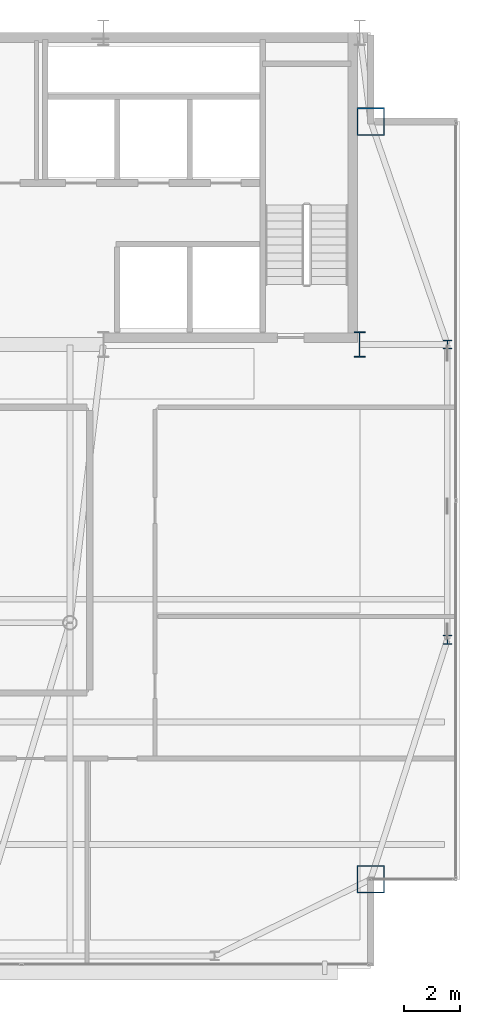
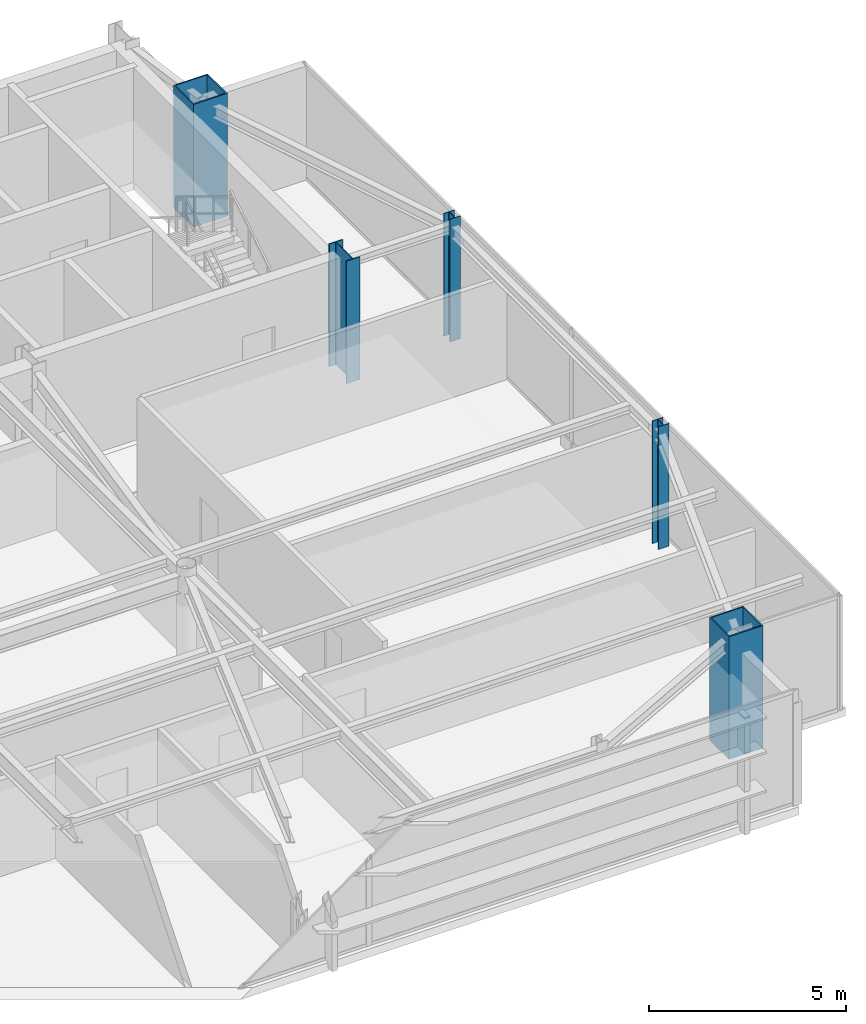
# One storey, part 2 of 24: 5 columns.
"""IFC4 building model written with IfcOpenShell, lengths in metres."""

from ifc_helpers import new_model, si_unit, direction, frame, origin, origin_2d, place, context, subcontext, project, spatial, hollow_rectangle, i_section, extrude, source, transform, mapped, material, material_profile, profile_set, type_object, type_shapes, element, save


model = new_model("IFC4")

# Units and contexts
model_context = context("Model", 3, precision=1e-05, world=origin(), true_north=direction((0.0, 1.0)))
body_context = subcontext(model_context, "Body", "Model", "MODEL_VIEW")
ifc_project = project(units=[si_unit("LENGTHUNIT", "METRE"), si_unit("AREAUNIT", "SQUARE_METRE"), si_unit("VOLUMEUNIT", "CUBIC_METRE"), si_unit("PLANEANGLEUNIT", "RADIAN"), si_unit("MASSUNIT", "GRAM", prefix="KILO")], contexts=[model_context])

# Site, building, storey
site_placement = place(None, origin())
site = spatial("IfcSite", under=ifc_project, at=site_placement, CompositionType="ELEMENT")
building_placement = place(site_placement, origin())
building = spatial("IfcBuilding", under=site, at=building_placement, Name="Varnel Quay Broadcast Tower", CompositionType="ELEMENT")
storey_placement = place(building_placement, frame((0.0, 0.0, 292.60009765625)))
storey = spatial("IfcBuildingStorey", under=building, at=storey_placement, Name="L73", CompositionType="ELEMENT", Elevation=292.60009765625)

# Columns
ifc_material_1 = material(Name="Structural Steel CSA G40.21 350WT", Category="steel")
ifc_material_profile_1 = material_profile(ifc_material_1, i_section(OverallWidth=0.39990234375, OverallDepth=0.89990234375, WebThickness=0.01611328125, FlangeThickness=0.028076171875, FilletRadius=0.01611328125, at=origin_2d()), Name="WWF900X309")
ifc_profile_set_1 = profile_set([ifc_material_profile_1], Name="Structural Steel CSA G40.21 350WT")
column_type_1 = type_object("IfcColumnType", Name="Col_WWF900X309", PredefinedType="COLUMN", material=ifc_profile_set_1)
shared_shape_1 = source(origin(), body_context, "Body", "SweptSolid", [
    extrude(i_section(OverallWidth=0.39990234375, OverallDepth=0.89990234375, WebThickness=0.01611328125, FlangeThickness=0.028076171875, FilletRadius=0.01611328125, at=origin_2d()), origin(), (0.0, 0.0, 1.0), 3.7998046875),
])
type_shapes(column_type_1, [shared_shape_1])
column_placement = place(storey_placement, frame((52.39990234375, 35.60009765625, 0.0), z_axis=(0.0, 0.0, 1.0), x_axis=(1.0, 0.0, 0.0)))
element("IfcColumn", 1, at=column_placement, inside=storey, type_object=column_type_1, Name="L73 Column CC-S5", PredefinedType="COLUMN", context=body_context, shape_type="MappedRepresentation", body=[
    mapped(shared_shape_1, transform((0.0, 0.0, 0.0), x_axis=(1.0, 0.0, 0.0), y_axis=(0.0, 1.0, 0.0), z_axis=(0.0, 0.0, 1.0), scale=1.0)),
])
ifc_material_profile_2 = material_profile(ifc_material_1, hollow_rectangle(XDim=1.0, YDim=1.0, WallThickness=0.0400390625, at=origin_2d()), Name="BOX1000X1000X40")
ifc_profile_set_2 = profile_set([ifc_material_profile_2], Name="Structural Steel CSA G40.21 350WT")
column_type_2 = type_object("IfcColumnType", Name="Col_BOX1000X1000X40", PredefinedType="COLUMN", material=ifc_profile_set_2)
shared_shape_2 = source(origin(), body_context, "Body", "SweptSolid", [
    extrude(hollow_rectangle(XDim=1.0, YDim=1.0, WallThickness=0.0400390625, at=origin_2d()), origin(), (0.0, 0.0, 1.0), 3.7998046875),
])
type_shapes(column_type_2, [shared_shape_2])
for number, where, z_axis, x_axis, name in (
    (2, (52.800048828125, 16.39990234375, 0.0), (0.0, 0.0, 1.0), (1.0, 0.0, 0.0), "L73 Column MC-SE"),
    (3, (52.800048828125, 43.60009765625, 0.0), (0.0, 0.0, 1.0), (1.0, 0.0, 0.0), "L73 Column MC-NE"),
):
    element("IfcColumn", number, at=place(storey_placement, frame(where, z_axis=z_axis, x_axis=x_axis)), inside=storey, type_object=column_type_2, Name=name, PredefinedType="COLUMN", context=body_context, shape_type="MappedRepresentation", body=[
        mapped(shared_shape_2, transform((0.0, 0.0, 0.0), x_axis=(1.0, 0.0, 0.0), y_axis=(0.0, 1.0, 0.0), z_axis=(0.0, 0.0, 1.0), scale=1.0)),
    ])
ifc_material_2 = material(Name="Structural Steel CSA G40.21 350W", Category="steel")
ifc_material_profile_3 = material_profile(ifc_material_2, i_section(OverallWidth=0.30908203125, OverallDepth=0.322998046875, WebThickness=0.013916015625, FlangeThickness=0.02294921875, FilletRadius=0.014892578125, at=origin_2d()), Name="W310X143")
ifc_profile_set_3 = profile_set([ifc_material_profile_3], Name="Structural Steel CSA G40.21 350W")
column_type_3 = type_object("IfcColumnType", Name="Col_W310X143", PredefinedType="COLUMN", material=ifc_profile_set_3)
shared_shape_3 = source(origin(), body_context, "Body", "SweptSolid", [
    extrude(i_section(OverallWidth=0.30908203125, OverallDepth=0.322998046875, WebThickness=0.013916015625, FlangeThickness=0.02294921875, FilletRadius=0.014892578125, at=origin_2d()), origin(), (0.0, 0.0, 1.0), 3.7998046875),
])
type_shapes(column_type_3, [shared_shape_3])
for number, where, z_axis, x_axis, name in (
    (4, (55.550048828125, 25.0, 0.0), (0.0, 0.0, 1.0), (1.0, 0.0, 0.0), "L73 Column TC-E1"),
    (5, (55.550048828125, 35.60009765625, 0.0), (0.0, 0.0, 1.0), (1.0, 0.0, 0.0), "L73 Column TC-E2"),
):
    element("IfcColumn", number, at=place(storey_placement, frame(where, z_axis=z_axis, x_axis=x_axis)), inside=storey, type_object=column_type_3, Name=name, PredefinedType="COLUMN", context=body_context, shape_type="MappedRepresentation", body=[
        mapped(shared_shape_3, transform((0.0, 0.0, 0.0), x_axis=(1.0, 0.0, 0.0), y_axis=(0.0, 1.0, 0.0), z_axis=(0.0, 0.0, 1.0), scale=1.0)),
    ])

save(model, "model.ifc")
